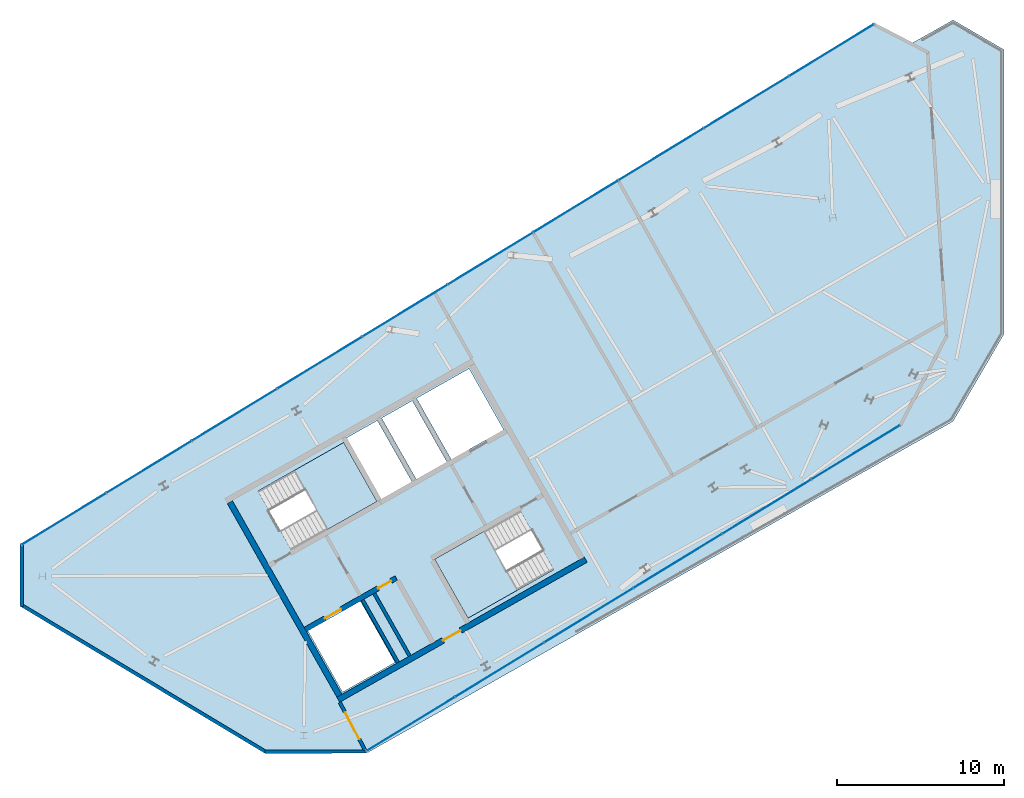
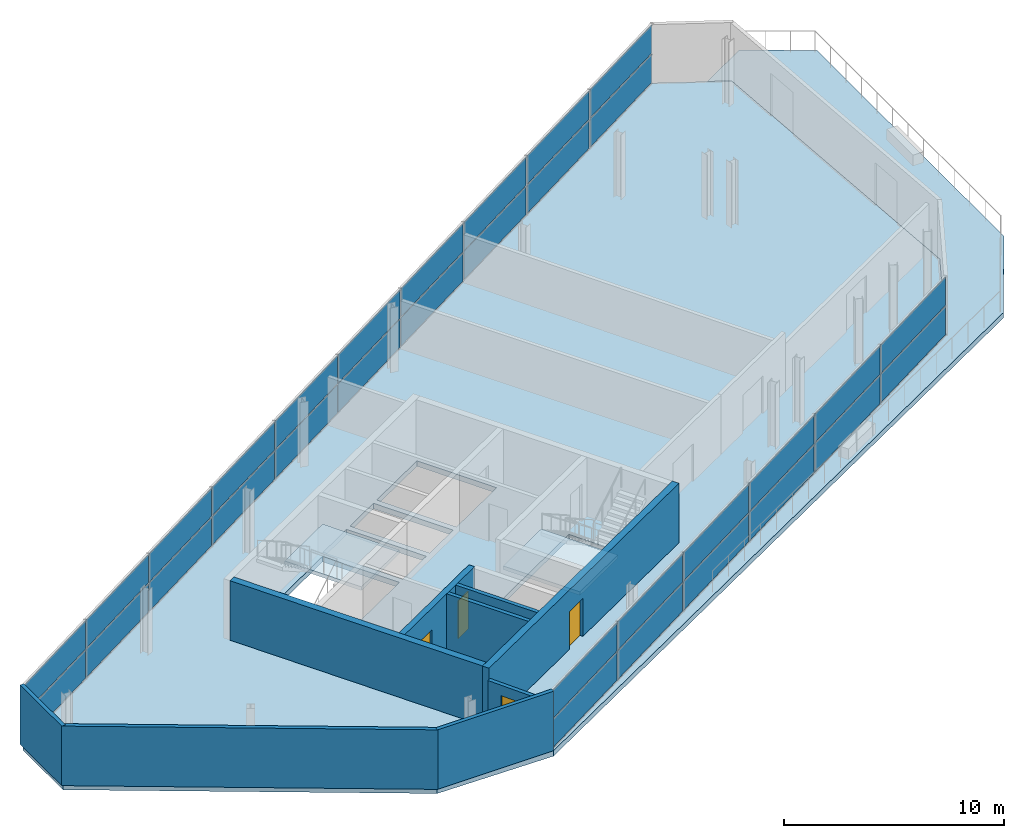
# One storey, part 7 of 10: 32 plates, 9 walls, 4 doors, 4 slabs, 4 openings, 4 elements without a shape of their own.
"""IFC4 building model written with IfcOpenShell, lengths in metres."""

from ifc_helpers import new_model, si_unit, direction, frame, frame_2d, origin, origin_2d, place, context, subcontext, project, spatial, polyline, rectangle, outline, extrude, material, layer, layer_set, type_object, element, fill, aggregate, save


model = new_model("IFC4")

# Units and contexts
model_context = context("Model", 3, precision=1e-05, world=origin(), true_north=direction((0.0, 1.0)))
body_context = subcontext(model_context, "Body", "Model", "MODEL_VIEW")
ifc_project = project(units=[si_unit("LENGTHUNIT", "METRE"), si_unit("AREAUNIT", "SQUARE_METRE"), si_unit("VOLUMEUNIT", "CUBIC_METRE"), si_unit("PLANEANGLEUNIT", "RADIAN"), si_unit("MASSUNIT", "GRAM", prefix="KILO")], contexts=[model_context])

# Site, building, storey
site_placement = place(None, origin())
site = spatial("IfcSite", under=ifc_project, at=site_placement, CompositionType="ELEMENT")
building_placement = place(site_placement, origin())
building = spatial("IfcBuilding", under=site, at=building_placement, Name="Binnacle Exchange Tower", CompositionType="ELEMENT")
storey_placement = place(building_placement, frame((0.0, 0.0, 346.89990234375)))
storey = spatial("IfcBuildingStorey", under=building, at=storey_placement, Name="L79", CompositionType="ELEMENT", Elevation=346.89990234375)

# Curtain wall, plates
ifc_material_1 = material(Name="Bronze anodised aluminium frame", Category="aluminium")
curtain_wall_type = type_object("IfcCurtainWallType", Name="External wall - curtain wall crown tiers", PredefinedType="NOTDEFINED", material=ifc_material_1)
curtain_wall_1_placement = place(storey_placement, origin())
curtain_wall_1 = element("IfcCurtainWall", 1, at=curtain_wall_1_placement, inside=storey, type_object=curtain_wall_type, Name="External wall curtain wall CW5-C103 L79", PredefinedType="NOTDEFINED")
ifc_material_2 = material(Name="Glass", Category="glass")
ifc_layer_1 = layer(ifc_material_2, 0.028076171875)
ifc_layer_set_1 = layer_set([ifc_layer_1], Name="CW5 GLASS PANEL 28")
plate_type = type_object("IfcPlateType", Name="CW5 GLASS PANEL 28", PredefinedType="CURTAIN_PANEL", material=ifc_layer_set_1)
plate_1_placement = place(storey_placement, frame((-10.31201171875, 68.471923828125, 0.05029296875), z_axis=(0.0, 0.0, 1.0), x_axis=(-0.853460873194, -0.521156922554, 0.0)))
plate_1 = element("IfcPlate", 2, at=plate_1_placement, type_object=plate_type, Name="CW5-C103 panel 1.1", PredefinedType="CURTAIN_PANEL", context=body_context, shape_type="SweptSolid", body=[
    extrude(rectangle(XDim=5.887451171875, YDim=0.028076171875, at=origin_2d()), origin(), (0.0, 0.0, 1.0), 1.574951171875),
])
plate_2_placement = place(storey_placement, frame((-10.31201171875, 68.471923828125, 1.67529296875), z_axis=(0.0, 0.0, 1.0), x_axis=(-0.853460873194, -0.521156922554, 0.0)))
plate_2 = element("IfcPlate", 3, at=plate_2_placement, type_object=plate_type, Name="CW5-C103 panel 1.2", PredefinedType="CURTAIN_PANEL", context=body_context, shape_type="SweptSolid", body=[
    extrude(rectangle(XDim=5.887451171875, YDim=0.028076171875, at=origin_2d()), origin(), (0.0, 0.0, 1.0), 1.574951171875),
])
plate_3_placement = place(storey_placement, frame((-15.40087890625, 65.36474609375, 0.05029296875), z_axis=(0.0, 0.0, 1.0), x_axis=(-0.853460873194, -0.521156922554, 0.0)))
plate_3 = element("IfcPlate", 4, at=plate_3_placement, type_object=plate_type, Name="CW5-C103 panel 2.1", PredefinedType="CURTAIN_PANEL", context=body_context, shape_type="SweptSolid", body=[
    extrude(rectangle(XDim=5.91748046875, YDim=0.028076171875, at=origin_2d()), origin(), (0.0, 0.0, 1.0), 1.574951171875),
])
plate_4_placement = place(storey_placement, frame((-15.40087890625, 65.36474609375, 1.67529296875), z_axis=(0.0, 0.0, 1.0), x_axis=(-0.853460873194, -0.521156922554, 0.0)))
plate_4 = element("IfcPlate", 5, at=plate_4_placement, type_object=plate_type, Name="CW5-C103 panel 2.2", PredefinedType="CURTAIN_PANEL", context=body_context, shape_type="SweptSolid", body=[
    extrude(rectangle(XDim=5.91748046875, YDim=0.028076171875, at=origin_2d()), origin(), (0.0, 0.0, 1.0), 1.574951171875),
])
plate_5_placement = place(storey_placement, frame((-20.50244140625, 62.24951171875, 0.05029296875), z_axis=(0.0, 0.0, 1.0), x_axis=(-0.853460873194, -0.521156922554, 0.0)))
plate_5 = element("IfcPlate", 6, at=plate_5_placement, type_object=plate_type, Name="CW5-C103 panel 3.1", PredefinedType="CURTAIN_PANEL", context=body_context, shape_type="SweptSolid", body=[
    extrude(rectangle(XDim=5.91748046875, YDim=0.028076171875, at=origin_2d()), origin(), (0.0, 0.0, 1.0), 1.574951171875),
])
plate_6_placement = place(storey_placement, frame((-20.50244140625, 62.24951171875, 1.67529296875), z_axis=(0.0, 0.0, 1.0), x_axis=(-0.853460873194, -0.521156922554, 0.0)))
plate_6 = element("IfcPlate", 7, at=plate_6_placement, type_object=plate_type, Name="CW5-C103 panel 3.2", PredefinedType="CURTAIN_PANEL", context=body_context, shape_type="SweptSolid", body=[
    extrude(rectangle(XDim=5.91748046875, YDim=0.028076171875, at=origin_2d()), origin(), (0.0, 0.0, 1.0), 1.574951171875),
])
plate_7_placement = place(storey_placement, frame((-25.60400390625, 59.13427734375, 0.05029296875), z_axis=(0.0, 0.0, 1.0), x_axis=(-0.853460873194, -0.521156922554, 0.0)))
plate_7 = element("IfcPlate", 8, at=plate_7_placement, type_object=plate_type, Name="CW5-C103 panel 4.1", PredefinedType="CURTAIN_PANEL", context=body_context, shape_type="SweptSolid", body=[
    extrude(rectangle(XDim=5.91748046875, YDim=0.028076171875, at=origin_2d()), origin(), (0.0, 0.0, 1.0), 1.574951171875),
])
plate_8_placement = place(storey_placement, frame((-25.60400390625, 59.13427734375, 1.67529296875), z_axis=(0.0, 0.0, 1.0), x_axis=(-0.853460873194, -0.521156922554, 0.0)))
plate_8 = element("IfcPlate", 9, at=plate_8_placement, type_object=plate_type, Name="CW5-C103 panel 4.2", PredefinedType="CURTAIN_PANEL", context=body_context, shape_type="SweptSolid", body=[
    extrude(rectangle(XDim=5.91748046875, YDim=0.028076171875, at=origin_2d()), origin(), (0.0, 0.0, 1.0), 1.574951171875),
])
plate_9_placement = place(storey_placement, frame((-30.70556640625, 56.01904296875, 0.05029296875), z_axis=(0.0, 0.0, 1.0), x_axis=(-0.853460873194, -0.521156922554, 0.0)))
plate_9 = element("IfcPlate", 10, at=plate_9_placement, type_object=plate_type, Name="CW5-C103 panel 5.1", PredefinedType="CURTAIN_PANEL", context=body_context, shape_type="SweptSolid", body=[
    extrude(rectangle(XDim=5.91748046875, YDim=0.028076171875, at=origin_2d()), origin(), (0.0, 0.0, 1.0), 1.574951171875),
])
plate_10_placement = place(storey_placement, frame((-30.70556640625, 56.01904296875, 1.67529296875), z_axis=(0.0, 0.0, 1.0), x_axis=(-0.853460873194, -0.521156922554, 0.0)))
plate_10 = element("IfcPlate", 11, at=plate_10_placement, type_object=plate_type, Name="CW5-C103 panel 5.2", PredefinedType="CURTAIN_PANEL", context=body_context, shape_type="SweptSolid", body=[
    extrude(rectangle(XDim=5.91748046875, YDim=0.028076171875, at=origin_2d()), origin(), (0.0, 0.0, 1.0), 1.574951171875),
])
plate_11_placement = place(storey_placement, frame((-35.80712890625, 52.90380859375, 0.05029296875), z_axis=(0.0, 0.0, 1.0), x_axis=(-0.853460873194, -0.521156922554, 0.0)))
plate_11 = element("IfcPlate", 12, at=plate_11_placement, type_object=plate_type, Name="CW5-C103 panel 6.1", PredefinedType="CURTAIN_PANEL", context=body_context, shape_type="SweptSolid", body=[
    extrude(rectangle(XDim=5.91748046875, YDim=0.028076171875, at=origin_2d()), origin(), (0.0, 0.0, 1.0), 1.574951171875),
])
plate_12_placement = place(storey_placement, frame((-35.80712890625, 52.90380859375, 1.67529296875), z_axis=(0.0, 0.0, 1.0), x_axis=(-0.853460873194, -0.521156922554, 0.0)))
plate_12 = element("IfcPlate", 13, at=plate_12_placement, type_object=plate_type, Name="CW5-C103 panel 6.2", PredefinedType="CURTAIN_PANEL", context=body_context, shape_type="SweptSolid", body=[
    extrude(rectangle(XDim=5.91748046875, YDim=0.028076171875, at=origin_2d()), origin(), (0.0, 0.0, 1.0), 1.574951171875),
])
plate_13_placement = place(storey_placement, frame((-40.90869140625, 49.78857421875, 0.05029296875), z_axis=(0.0, 0.0, 1.0), x_axis=(-0.853460873194, -0.521156922554, 0.0)))
plate_13 = element("IfcPlate", 14, at=plate_13_placement, type_object=plate_type, Name="CW5-C103 panel 7.1", PredefinedType="CURTAIN_PANEL", context=body_context, shape_type="SweptSolid", body=[
    extrude(rectangle(XDim=5.91748046875, YDim=0.028076171875, at=origin_2d()), origin(), (0.0, 0.0, 1.0), 1.574951171875),
])
plate_14_placement = place(storey_placement, frame((-40.90869140625, 49.78857421875, 1.67529296875), z_axis=(0.0, 0.0, 1.0), x_axis=(-0.853460873194, -0.521156922554, 0.0)))
plate_14 = element("IfcPlate", 15, at=plate_14_placement, type_object=plate_type, Name="CW5-C103 panel 7.2", PredefinedType="CURTAIN_PANEL", context=body_context, shape_type="SweptSolid", body=[
    extrude(rectangle(XDim=5.91748046875, YDim=0.028076171875, at=origin_2d()), origin(), (0.0, 0.0, 1.0), 1.574951171875),
])
plate_15_placement = place(storey_placement, frame((-46.01025390625, 46.67333984375, 0.05029296875), z_axis=(0.0, 0.0, 1.0), x_axis=(-0.853460873194, -0.521156922554, 0.0)))
plate_15 = element("IfcPlate", 16, at=plate_15_placement, type_object=plate_type, Name="CW5-C103 panel 8.1", PredefinedType="CURTAIN_PANEL", context=body_context, shape_type="SweptSolid", body=[
    extrude(rectangle(XDim=5.91748046875, YDim=0.028076171875, at=origin_2d()), origin(), (0.0, 0.0, 1.0), 1.574951171875),
])
plate_16_placement = place(storey_placement, frame((-46.01025390625, 46.67333984375, 1.67529296875), z_axis=(0.0, 0.0, 1.0), x_axis=(-0.853460873194, -0.521156922554, 0.0)))
plate_16 = element("IfcPlate", 17, at=plate_16_placement, type_object=plate_type, Name="CW5-C103 panel 8.2", PredefinedType="CURTAIN_PANEL", context=body_context, shape_type="SweptSolid", body=[
    extrude(rectangle(XDim=5.91748046875, YDim=0.028076171875, at=origin_2d()), origin(), (0.0, 0.0, 1.0), 1.574951171875),
])
plate_17_placement = place(storey_placement, frame((-51.11181640625, 43.55810546875, 0.05029296875), z_axis=(0.0, 0.0, 1.0), x_axis=(-0.853460873194, -0.521156922554, 0.0)))
plate_17 = element("IfcPlate", 18, at=plate_17_placement, type_object=plate_type, Name="CW5-C103 panel 9.1", PredefinedType="CURTAIN_PANEL", context=body_context, shape_type="SweptSolid", body=[
    extrude(rectangle(XDim=5.91748046875, YDim=0.028076171875, at=origin_2d()), origin(), (0.0, 0.0, 1.0), 1.574951171875),
])
plate_18_placement = place(storey_placement, frame((-51.11181640625, 43.55810546875, 1.67529296875), z_axis=(0.0, 0.0, 1.0), x_axis=(-0.853460873194, -0.521156922554, 0.0)))
plate_18 = element("IfcPlate", 19, at=plate_18_placement, type_object=plate_type, Name="CW5-C103 panel 9.2", PredefinedType="CURTAIN_PANEL", context=body_context, shape_type="SweptSolid", body=[
    extrude(rectangle(XDim=5.91748046875, YDim=0.028076171875, at=origin_2d()), origin(), (0.0, 0.0, 1.0), 1.574951171875),
])
plate_19_placement = place(storey_placement, frame((-56.20068359375, 40.45068359375, 0.05029296875), z_axis=(0.0, 0.0, 1.0), x_axis=(-0.853460873194, -0.521156922554, 0.0)))
plate_19 = element("IfcPlate", 20, at=plate_19_placement, type_object=plate_type, Name="CW5-C103 panel 10.1", PredefinedType="CURTAIN_PANEL", context=body_context, shape_type="SweptSolid", body=[
    extrude(rectangle(XDim=5.887451171875, YDim=0.028076171875, at=origin_2d()), origin(), (0.0, 0.0, 1.0), 1.574951171875),
])
plate_20_placement = place(storey_placement, frame((-56.20068359375, 40.45068359375, 1.67529296875), z_axis=(0.0, 0.0, 1.0), x_axis=(-0.853460873194, -0.521156922554, 0.0)))
plate_20 = element("IfcPlate", 21, at=plate_20_placement, type_object=plate_type, Name="CW5-C103 panel 10.2", PredefinedType="CURTAIN_PANEL", context=body_context, shape_type="SweptSolid", body=[
    extrude(rectangle(XDim=5.887451171875, YDim=0.028076171875, at=origin_2d()), origin(), (0.0, 0.0, 1.0), 1.574951171875),
])
aggregate(curtain_wall_1, [plate_1, plate_2, plate_3, plate_4, plate_5, plate_6, plate_7, plate_8, plate_9, plate_10, plate_11, plate_12, plate_13, plate_14, plate_15, plate_16, plate_17, plate_18, plate_19, plate_20])

curtain_wall_2_placement = place(storey_placement, origin())
curtain_wall_2 = element("IfcCurtainWall", 22, at=curtain_wall_2_placement, inside=storey, type_object=curtain_wall_type, Name="External wall curtain wall CW5-C107 L79", PredefinedType="NOTDEFINED")
plate_21_placement = place(storey_placement, frame((-35.47021484375, 28.1865234375, 0.05029296875), z_axis=(0.0, 0.0, 1.0), x_axis=(0.853460873194, 0.521156922554, 0.0)))
plate_21 = element("IfcPlate", 23, at=plate_21_placement, type_object=plate_type, Name="CW5-C107 panel 1.1", PredefinedType="CURTAIN_PANEL", context=body_context, shape_type="SweptSolid", body=[
    extrude(rectangle(XDim=6.149169921875, YDim=0.028076171875, at=origin_2d()), origin(), (0.0, 0.0, 1.0), 1.574951171875),
])
plate_22_placement = place(storey_placement, frame((-35.47021484375, 28.1865234375, 1.67529296875), z_axis=(0.0, 0.0, 1.0), x_axis=(0.853460873194, 0.521156922554, 0.0)))
plate_22 = element("IfcPlate", 24, at=plate_22_placement, type_object=plate_type, Name="CW5-C107 panel 1.2", PredefinedType="CURTAIN_PANEL", context=body_context, shape_type="SweptSolid", body=[
    extrude(rectangle(XDim=6.149169921875, YDim=0.028076171875, at=origin_2d()), origin(), (0.0, 0.0, 1.0), 1.574951171875),
])
plate_23_placement = place(storey_placement, frame((-30.158203125, 31.43017578125, 0.05029296875), z_axis=(0.0, 0.0, 1.0), x_axis=(0.853460873194, 0.521156922554, 0.0)))
plate_23 = element("IfcPlate", 25, at=plate_23_placement, type_object=plate_type, Name="CW5-C107 panel 2.1", PredefinedType="CURTAIN_PANEL", context=body_context, shape_type="SweptSolid", body=[
    extrude(rectangle(XDim=6.17919921875, YDim=0.028076171875, at=origin_2d()), origin(), (0.0, 0.0, 1.0), 1.574951171875),
])
plate_24_placement = place(storey_placement, frame((-30.158203125, 31.43017578125, 1.67529296875), z_axis=(0.0, 0.0, 1.0), x_axis=(0.853460873194, 0.521156922554, 0.0)))
plate_24 = element("IfcPlate", 26, at=plate_24_placement, type_object=plate_type, Name="CW5-C107 panel 2.2", PredefinedType="CURTAIN_PANEL", context=body_context, shape_type="SweptSolid", body=[
    extrude(rectangle(XDim=6.17919921875, YDim=0.028076171875, at=origin_2d()), origin(), (0.0, 0.0, 1.0), 1.574951171875),
])
plate_25_placement = place(storey_placement, frame((-24.833251953125, 34.681884765625, 0.05029296875), z_axis=(0.0, 0.0, 1.0), x_axis=(0.853460873194, 0.521156922554, 0.0)))
plate_25 = element("IfcPlate", 27, at=plate_25_placement, type_object=plate_type, Name="CW5-C107 panel 3.1", PredefinedType="CURTAIN_PANEL", context=body_context, shape_type="SweptSolid", body=[
    extrude(rectangle(XDim=6.17919921875, YDim=0.028076171875, at=origin_2d()), origin(), (0.0, 0.0, 1.0), 1.574951171875),
])
plate_26_placement = place(storey_placement, frame((-24.833251953125, 34.681884765625, 1.67529296875), z_axis=(0.0, 0.0, 1.0), x_axis=(0.853460873194, 0.521156922554, 0.0)))
plate_26 = element("IfcPlate", 28, at=plate_26_placement, type_object=plate_type, Name="CW5-C107 panel 3.2", PredefinedType="CURTAIN_PANEL", context=body_context, shape_type="SweptSolid", body=[
    extrude(rectangle(XDim=6.17919921875, YDim=0.028076171875, at=origin_2d()), origin(), (0.0, 0.0, 1.0), 1.574951171875),
])
plate_27_placement = place(storey_placement, frame((-19.50830078125, 37.933349609375, 0.05029296875), z_axis=(0.0, 0.0, 1.0), x_axis=(0.853460873194, 0.521156922554, 0.0)))
plate_27 = element("IfcPlate", 29, at=plate_27_placement, type_object=plate_type, Name="CW5-C107 panel 4.1", PredefinedType="CURTAIN_PANEL", context=body_context, shape_type="SweptSolid", body=[
    extrude(rectangle(XDim=6.17919921875, YDim=0.028076171875, at=origin_2d()), origin(), (0.0, 0.0, 1.0), 1.574951171875),
])
plate_28_placement = place(storey_placement, frame((-19.50830078125, 37.933349609375, 1.67529296875), z_axis=(0.0, 0.0, 1.0), x_axis=(0.853460873194, 0.521156922554, 0.0)))
plate_28 = element("IfcPlate", 30, at=plate_28_placement, type_object=plate_type, Name="CW5-C107 panel 4.2", PredefinedType="CURTAIN_PANEL", context=body_context, shape_type="SweptSolid", body=[
    extrude(rectangle(XDim=6.17919921875, YDim=0.028076171875, at=origin_2d()), origin(), (0.0, 0.0, 1.0), 1.574951171875),
])
plate_29_placement = place(storey_placement, frame((-14.183349609375, 41.18505859375, 0.05029296875), z_axis=(0.0, 0.0, 1.0), x_axis=(0.853460873194, 0.521156922554, 0.0)))
plate_29 = element("IfcPlate", 31, at=plate_29_placement, type_object=plate_type, Name="CW5-C107 panel 5.1", PredefinedType="CURTAIN_PANEL", context=body_context, shape_type="SweptSolid", body=[
    extrude(rectangle(XDim=6.17919921875, YDim=0.028076171875, at=origin_2d()), origin(), (0.0, 0.0, 1.0), 1.574951171875),
])
plate_30_placement = place(storey_placement, frame((-14.183349609375, 41.18505859375, 1.67529296875), z_axis=(0.0, 0.0, 1.0), x_axis=(0.853460873194, 0.521156922554, 0.0)))
plate_30 = element("IfcPlate", 32, at=plate_30_placement, type_object=plate_type, Name="CW5-C107 panel 5.2", PredefinedType="CURTAIN_PANEL", context=body_context, shape_type="SweptSolid", body=[
    extrude(rectangle(XDim=6.17919921875, YDim=0.028076171875, at=origin_2d()), origin(), (0.0, 0.0, 1.0), 1.574951171875),
])
plate_31_placement = place(storey_placement, frame((-8.871337890625, 44.4287109375, 0.05029296875), z_axis=(0.0, 0.0, 1.0), x_axis=(0.853460873194, 0.521156922554, 0.0)))
plate_31 = element("IfcPlate", 33, at=plate_31_placement, type_object=plate_type, Name="CW5-C107 panel 6.1", PredefinedType="CURTAIN_PANEL", context=body_context, shape_type="SweptSolid", body=[
    extrude(rectangle(XDim=6.149169921875, YDim=0.028076171875, at=origin_2d()), origin(), (0.0, 0.0, 1.0), 1.574951171875),
])
plate_32_placement = place(storey_placement, frame((-8.871337890625, 44.4287109375, 1.67529296875), z_axis=(0.0, 0.0, 1.0), x_axis=(0.853460873194, 0.521156922554, 0.0)))
plate_32 = element("IfcPlate", 34, at=plate_32_placement, type_object=plate_type, Name="CW5-C107 panel 6.2", PredefinedType="CURTAIN_PANEL", context=body_context, shape_type="SweptSolid", body=[
    extrude(rectangle(XDim=6.149169921875, YDim=0.028076171875, at=origin_2d()), origin(), (0.0, 0.0, 1.0), 1.574951171875),
])
aggregate(curtain_wall_2, [plate_21, plate_22, plate_23, plate_24, plate_25, plate_26, plate_27, plate_28, plate_29, plate_30, plate_31, plate_32])

# Slab
ifc_material_3 = material(Name="Concrete C35/45", Category="concrete")
ifc_layer_2 = layer(ifc_material_3, 0.300048828125)
ifc_layer_set_2 = layer_set([ifc_layer_2], Name="Floor slab 300 Concrete C35/45")
slab_type_1 = type_object("IfcSlabType", Name="Floor slab 300 Concrete C35/45", PredefinedType="FLOOR", material=ifc_layer_set_2)
slab_1_placement = place(storey_placement, frame((0.0, 0.0, -0.2998046875)))
element("IfcSlab", 35, at=slab_1_placement, inside=storey, type_object=slab_type_1, Name="S:SL:L79:01", PredefinedType="FLOOR", context=body_context, shape_type="SweptSolid", body=[
    extrude(outline(polyline([(-38.156982421875, 26.5458984375), (-44.14404296875, 26.5244140625), (-58.716064453125, 35.280029296875), (-58.72900390625, 38.90673828125), (-7.78369140625, 70.01611328125), (-4.563232421875, 68.347900390625), (-3.430908203125, 51.385498046875), (-6.184814453125, 46.0693359375), (-38.156982421875, 26.5458984375)]), holes=[polyline([(-41.61279296875, 33.756591796875), (-39.544677734375, 30.10107421875), (-36.411376953125, 31.873779296875), (-38.4794921875, 35.529296875), (-41.61279296875, 33.756591796875)]), polyline([(-32.04638671875, 34.515625), (-26.9287109375, 37.4111328125), (-28.923095703125, 40.93603515625), (-34.040771484375, 38.04052734375), (-32.04638671875, 34.515625)]), polyline([(-39.480712890625, 45.01611328125), (-44.598388671875, 42.12060546875), (-42.604248046875, 38.595703125), (-37.486572265625, 41.4912109375), (-39.480712890625, 45.01611328125)]), polyline([(-39.293701171875, 45.29443359375), (-37.225341796875, 41.638916015625), (-35.397705078125, 42.673095703125), (-37.4658203125, 46.32861328125), (-39.293701171875, 45.29443359375)]), polyline([(-35.376953125, 47.51025390625), (-37.20458984375, 46.476318359375), (-35.136474609375, 42.82080078125), (-33.308837890625, 43.854736328125), (-35.376953125, 47.51025390625)]), polyline([(-31.982666015625, 49.430908203125), (-35.115966796875, 47.657958984375), (-33.047607421875, 44.00244140625), (-29.914306640625, 45.775390625), (-31.982666015625, 49.430908203125)])]), origin(), (0.0, 0.0, 1.0), 0.2998046875),
])

# Stair, slab
stair_type = type_object("IfcStairType", Name="STAIR 20 RISERS 180", PredefinedType="HALF_TURN_STAIR", material=ifc_material_3)
stair_1_placement = place(storey_placement, origin())
stair_1 = element("IfcStair", 36, at=stair_1_placement, inside=storey, type_object=stair_type, Name="L79 Escape stair A1", PredefinedType="HALF_TURN_STAIR")
ifc_layer_3 = layer(ifc_material_3, 0.199951171875)
ifc_layer_set_3 = layer_set([ifc_layer_3], Name="STAIR LANDING 200")
slab_type_2 = type_object("IfcSlabType", Name="STAIR LANDING 200", PredefinedType="LANDING", material=ifc_layer_set_3)
slab_2_placement = place(storey_placement, frame((0.0, 0.0, 1.60009765625)))
slab_2 = element("IfcSlab", 37, at=slab_2_placement, type_object=slab_type_2, Name="STA1 landing 1", PredefinedType="LANDING", context=body_context, shape_type="SweptSolid", body=[
    extrude(outline(polyline([(-40.44580078125, 39.81689453125), (-37.486572265625, 41.4912109375), (-39.48095703125, 45.01611328125), (-42.43994140625, 43.341796875), (-40.44580078125, 39.81689453125)])), origin(), (0.0, 0.0, 1.0), 0.199951171875),
])
aggregate(stair_1, [slab_2])

stair_2_placement = place(storey_placement, origin())
stair_2 = element("IfcStair", 38, at=stair_2_placement, inside=storey, type_object=stair_type, Name="L79 Escape stair A2", PredefinedType="HALF_TURN_STAIR")
slab_3_placement = place(storey_placement, frame((0.0, 0.0, 1.60009765625)))
slab_3 = element("IfcSlab", 39, at=slab_3_placement, type_object=slab_type_2, Name="STA2 landing 1", PredefinedType="LANDING", context=body_context, shape_type="SweptSolid", body=[
    extrude(outline(polyline([(-31.08154296875, 39.71484375), (-34.040771484375, 38.04052734375), (-32.04638671875, 34.515625), (-29.087158203125, 36.18994140625), (-31.08154296875, 39.71484375)])), origin(), (0.0, 0.0, 1.0), 0.199951171875),
])
aggregate(stair_2, [slab_3])

# Slab
ifc_layer_4 = layer(ifc_material_3, 0.300048828125)
ifc_layer_set_4 = layer_set([ifc_layer_4], Name="Terrace slab 300 Concrete C35/45")
slab_type_3 = type_object("IfcSlabType", Name="Terrace slab 300 Concrete C35/45", PredefinedType="ROOF", material=ifc_layer_set_4)
slab_4_placement = place(storey_placement, frame((0.0, 0.0, -0.2998046875)))
element("IfcSlab", 40, at=slab_4_placement, inside=storey, type_object=slab_type_3, Name="TERRACE C1 slab", PredefinedType="ROOF", context=body_context, shape_type="SweptSolid", body=[
    extrude(outline(polyline([(-3.046142578125, 70.276611328125), (0.0, 68.5), (0.0, 51.5), (-3.046142578125, 46.276611328125), (-38.097900390625, 26.4453125), (-44.14404296875, 26.5244140625), (-38.156982421875, 26.5458984375), (-6.184814453125, 46.0693359375), (-3.430908203125, 51.385498046875), (-4.563232421875, 68.347900390625), (-5.55078125, 68.859375), (-3.046142578125, 70.276611328125)])), origin(), (0.0, 0.0, 1.0), 0.2998046875),
])

# Wall, openings, doors
ifc_material_4 = material(Name="Concrete C70/85", Category="concrete")
ifc_layer_5 = layer(ifc_material_4, 0.300048828125)
ifc_layer_set_5 = layer_set([ifc_layer_5], Name="Core wall - front 300")
wall_type_1 = type_object("IfcWallType", Name="Core wall - front 300", PredefinedType="SOLIDWALL", material=ifc_layer_set_5)
wall_1_placement = place(storey_placement, frame((-41.773681640625, 33.837890625, 0.0), z_axis=(0.0, 0.0, 1.0), x_axis=(0.870355415866, 0.492424055132, 0.0)))
wall_1 = element("IfcWall", 41, at=wall_1_placement, inside=storey, type_object=wall_type_1, Name="Core wall CRWA2", PredefinedType="SOLIDWALL", context=body_context, shape_type="SweptSolid", body=[
    extrude(rectangle(XDim=6.25, YDim=0.300048828125, at=frame_2d((3.125, 0.0))), origin(), (0.0, 0.0, 1.0), 3.300048828125),
])
opening_1_placement = place(wall_1_placement, frame((1.349853515625, 0.0, 0.0)))
opening_1 = element("IfcOpeningElement", 42, at=opening_1_placement, cuts=wall_1, Name="Opening LD12", PredefinedType="OPENING", context=body_context, shape_type="SweptSolid", body=[
    extrude(rectangle(XDim=1.10009765625, YDim=2.10009765625, at=frame_2d((0.550048828125, 1.050048828125))), frame((0.0, 0.159912109375, 0.0), z_axis=(0.0, -1.0, 0.0), x_axis=(1.0, 0.0, 0.0)), (0.0, 0.0, 1.0), 0.320068359375),
])
opening_2_placement = place(wall_1_placement, frame((5.0, 0.0, 0.0)))
opening_2 = element("IfcOpeningElement", 43, at=opening_2_placement, cuts=wall_1, Name="Opening DA14", PredefinedType="OPENING", context=body_context, shape_type="SweptSolid", body=[
    extrude(rectangle(XDim=0.89990234375, YDim=2.10009765625, at=frame_2d((0.449951171875, 1.050048828125))), frame((0.0, 0.159912109375, 0.0), z_axis=(0.0, -1.0, 0.0), x_axis=(1.0, 0.0, 0.0)), (0.0, 0.0, 1.0), 0.320068359375),
])
ifc_material_5 = material(Name="Steel door leaf", Category="steel")
door_type_1 = type_object("IfcDoorType", Name="Fire door - lift landing 1100", OperationType="NOTDEFINED", PredefinedType="DOOR", material=ifc_material_5)
door_1_placement = place(opening_1_placement, origin())
door_1 = element("IfcDoor", 44, at=door_1_placement, inside=storey, type_object=door_type_1, Name="Landing door LD12 L79", OperationType="DOUBLE_DOOR_SLIDING", OverallHeight=2.10009765625, OverallWidth=1.10009765625, PredefinedType="DOOR", context=body_context, shape_type="SweptSolid", body=[
    extrude(rectangle(XDim=1.10009765625, YDim=2.10009765625, at=frame_2d((0.550048828125, 1.050048828125))), frame((0.0, 0.02490234375, 0.0), z_axis=(0.0, -1.0, 0.0), x_axis=(1.0, 0.0, 0.0)), (0.0, 0.0, 1.0), 0.050048828125),
])
fill(opening_1, door_1)
door_type_2 = type_object("IfcDoorType", Name="Fire door 900", OperationType="NOTDEFINED", PredefinedType="DOOR", material=ifc_material_5)
door_2_placement = place(opening_2_placement, frame((0.89990234375, 0.0, 0.0), z_axis=(0.0, 0.0, 1.0), x_axis=(-1.0, 0.0, 0.0)))
door_2 = element("IfcDoor", 45, at=door_2_placement, inside=storey, type_object=door_type_2, Name="Core room door IT STORE", OperationType="SINGLE_SWING_LEFT", OverallHeight=2.10009765625, OverallWidth=0.89990234375, PredefinedType="DOOR", context=body_context, shape_type="SweptSolid", body=[
    extrude(rectangle(XDim=0.89990234375, YDim=2.10009765625, at=frame_2d((0.449951171875, 1.050048828125))), frame((0.0, 0.02490234375, 0.0), z_axis=(0.0, -1.0, 0.0), x_axis=(1.0, 0.0, 0.0)), (0.0, 0.0, 1.0), 0.050048828125),
])
fill(opening_2, door_2)

# Wall, opening, door
ifc_layer_6 = layer(ifc_material_4, 0.35009765625)
ifc_layer_set_6 = layer_set([ifc_layer_6], Name="Core wall - outer 350")
wall_type_2 = type_object("IfcWallType", Name="Core wall - outer 350", PredefinedType="SOLIDWALL", material=ifc_layer_set_6)
wall_2_placement = place(storey_placement, frame((-39.80078125, 29.64013671875, 0.0), z_axis=(0.0, 0.0, 1.0), x_axis=(0.870359753402, 0.492416388494, 0.0)))
wall_2 = element("IfcWall", 46, at=wall_2_placement, inside=storey, type_object=wall_type_2, Name="Core wall CRWA1", PredefinedType="SOLIDWALL", context=body_context, shape_type="SweptSolid", body=[
    extrude(rectangle(XDim=17.0, YDim=0.35009765625, at=frame_2d((8.5, 0.0))), origin(), (0.0, 0.0, 1.0), 3.300048828125),
])
opening_3_placement = place(wall_2_placement, frame((7.199951171875, 0.0, 0.0)))
opening_3 = element("IfcOpeningElement", 47, at=opening_3_placement, cuts=wall_2, Name="Opening DA7", PredefinedType="OPENING", context=body_context, shape_type="SweptSolid", body=[
    extrude(rectangle(XDim=1.199951171875, YDim=2.10009765625, at=frame_2d((0.60009765625, 1.050048828125))), frame((0.0, 0.18505859375, 0.0), z_axis=(0.0, -1.0, 0.0), x_axis=(1.0, 0.0, 0.0)), (0.0, 0.0, 1.0), 0.3701171875),
])
door_type_3 = type_object("IfcDoorType", Name="Fire door 1200", OperationType="NOTDEFINED", PredefinedType="DOOR", material=ifc_material_5)
door_3_placement = place(opening_3_placement, frame((1.199951171875, 0.0, 0.0), z_axis=(0.0, 0.0, 1.0), x_axis=(-1.0, 0.0, 0.0)))
door_3 = element("IfcDoor", 48, at=door_3_placement, inside=storey, type_object=door_type_3, Name="Lift lobby entrance door core A", OperationType="SINGLE_SWING_RIGHT", OverallHeight=2.10009765625, OverallWidth=1.199951171875, PredefinedType="DOOR", context=body_context, shape_type="SweptSolid", body=[
    extrude(rectangle(XDim=1.199951171875, YDim=2.10009765625, at=frame_2d((0.60009765625, 1.050048828125))), frame((0.0, 0.02490234375, 0.0), z_axis=(0.0, -1.0, 0.0), x_axis=(1.0, 0.0, 0.0)), (0.0, 0.0, 1.0), 0.050048828125),
])
fill(opening_3, door_3)

# Walls
wall_3_placement = place(storey_placement, frame((-46.283935546875, 41.454345703125, 0.0), z_axis=(0.0, 0.0, 1.0), x_axis=(0.492429810477, -0.870352159619, 0.0)))
element("IfcWall", 49, at=wall_3_placement, inside=storey, type_object=wall_type_2, Name="Core wall CRWA7", PredefinedType="SOLIDWALL", context=body_context, shape_type="SweptSolid", body=[
    extrude(rectangle(XDim=13.300048828125, YDim=0.35009765625, at=frame_2d((6.64990234375, 0.0))), origin(), (0.0, 0.0, 1.0), 3.300048828125),
])
ifc_material_6 = material(Name="Bronze aluminium louvre", Category="aluminium")
ifc_layer_7 = layer(ifc_material_6, 0.199951171875)
ifc_layer_set_7 = layer_set([ifc_layer_7], Name="External wall - crown louvre 200")
wall_type_3 = type_object("IfcWallType", Name="External wall - crown louvre 200", PredefinedType="STANDARD", material=ifc_layer_set_7)
wall_4_placement = place(storey_placement, frame((-58.7158203125, 35.223876953125, 0.0), z_axis=(0.0, 0.0, 1.0), x_axis=(-0.003563076631, 0.999993652222, 0.0)))
element("IfcWall", 50, at=wall_4_placement, inside=storey, type_object=wall_type_3, Name="External wall EW-C104 L79", PredefinedType="STANDARD", context=body_context, shape_type="SweptSolid", body=[
    extrude(rectangle(XDim=3.7685546875, YDim=0.199951171875, at=frame_2d((1.88427734375, 0.0))), origin(), (0.0, 0.0, 1.0), 3.300048828125),
])
wall_5_placement = place(storey_placement, frame((-44.1201171875, 26.510009765625, 0.0), z_axis=(0.0, 0.0, 1.0), x_axis=(-0.85716996621, 0.515033638734, 0.0)))
element("IfcWall", 51, at=wall_5_placement, inside=storey, type_object=wall_type_3, Name="External wall EW-C105 L79", PredefinedType="STANDARD", context=body_context, shape_type="SweptSolid", body=[
    extrude(rectangle(XDim=17.08447265625, YDim=0.199951171875, at=frame_2d((8.542236328125, 0.0))), origin(), (0.0, 0.0, 1.0), 3.300048828125),
])
wall_6_placement = place(storey_placement, frame((-38.080810546875, 26.546142578125, 0.0), z_axis=(0.0, 0.0, 1.0), x_axis=(-0.999993637837, -0.003567111574, 0.0)))
element("IfcWall", 52, at=wall_6_placement, inside=storey, type_object=wall_type_3, Name="External wall EW-C106 L79", PredefinedType="STANDARD", context=body_context, shape_type="SweptSolid", body=[
    extrude(rectangle(XDim=6.09130859375, YDim=0.199951171875, at=frame_2d((3.045654296875, 0.0))), origin(), (0.0, 0.0, 1.0), 3.300048828125),
])

# Wall, opening, door
ifc_material_7 = material(Name="Masonry block wall", Category="masonry")
ifc_layer_8 = layer(ifc_material_7, 0.199951171875)
ifc_layer_set_8 = layer_set([ifc_layer_8], Name="Fire wall - block 200")
wall_type_4 = type_object("IfcWallType", Name="Fire wall - block 200", PredefinedType="PARTITIONING", material=ifc_layer_set_8)
wall_7_placement = place(storey_placement, frame((-39.715087890625, 29.488037109375, 0.0), z_axis=(0.0, 0.0, 1.0), x_axis=(0.467963390189, -0.883747851733, 0.0)))
wall_7 = element("IfcWall", 53, at=wall_7_placement, inside=storey, type_object=wall_type_4, Name="Partition W01", PredefinedType="PARTITIONING", context=body_context, shape_type="SweptSolid", body=[
    extrude(rectangle(XDim=3.26123046875, YDim=0.199951171875, at=frame_2d((1.630615234375, 0.0))), origin(), (0.0, 0.0, 1.0), 2.68017578125),
])
opening_4_placement = place(wall_7_placement, frame((0.699951171875, 0.0, 0.0)))
opening_4 = element("IfcOpeningElement", 54, at=opening_4_placement, cuts=wall_7, Name="Opening DL79-04", PredefinedType="OPENING", context=body_context, shape_type="SweptSolid", body=[
    extrude(rectangle(XDim=1.800048828125, YDim=2.10009765625, at=frame_2d((0.89990234375, 1.050048828125))), frame((0.0, 0.10986328125, 0.0), z_axis=(0.0, -1.0, 0.0), x_axis=(1.0, 0.0, 0.0)), (0.0, 0.0, 1.0), 0.219970703125),
])
door_type_4 = type_object("IfcDoorType", Name="Fire door 1800", OperationType="NOTDEFINED", PredefinedType="DOOR", material=ifc_material_5)
door_4_placement = place(opening_4_placement, frame((1.800048828125, 0.0, 0.0), z_axis=(0.0, 0.0, 1.0), x_axis=(-1.0, 0.0, 0.0)))
door_4 = element("IfcDoor", 55, at=door_4_placement, inside=storey, type_object=door_type_4, Name="Door DL79-04", OperationType="DOUBLE_DOOR_SINGLE_SWING", OverallHeight=2.10009765625, OverallWidth=1.800048828125, PredefinedType="DOOR", context=body_context, shape_type="SweptSolid", body=[
    extrude(rectangle(XDim=1.800048828125, YDim=2.10009765625, at=frame_2d((0.89990234375, 1.050048828125))), frame((0.0, 0.02490234375, 0.0), z_axis=(0.0, -1.0, 0.0), x_axis=(1.0, 0.0, 0.0)), (0.0, 0.0, 1.0), 0.050048828125),
])
fill(opening_4, door_4)

# Walls
ifc_layer_9 = layer(ifc_material_7, 0.199951171875)
ifc_layer_set_9 = layer_set([ifc_layer_9], Name="Riser wall 200")
wall_type_5 = type_object("IfcWallType", Name="Riser wall 200", PredefinedType="SOLIDWALL", material=ifc_layer_set_9)
wall_8_placement = place(storey_placement, frame((-38.348876953125, 35.603271484375, 0.0), z_axis=(0.0, 0.0, 1.0), x_axis=(0.492410799949, -0.870362915164, 0.0)))
element("IfcWall", 56, at=wall_8_placement, inside=storey, type_object=wall_type_5, Name="Core wall CRWA8", PredefinedType="SOLIDWALL", context=body_context, shape_type="SweptSolid", body=[
    extrude(rectangle(XDim=4.300048828125, YDim=0.199951171875, at=frame_2d((2.14990234375, 0.0))), origin(), (0.0, 0.0, 1.0), 3.300048828125),
])
wall_9_placement = place(storey_placement, frame((-37.652587890625, 35.9970703125, 0.0), z_axis=(0.0, 0.0, 1.0), x_axis=(0.492435133428, -0.870349147967, 0.0)))
element("IfcWall", 57, at=wall_9_placement, inside=storey, type_object=wall_type_5, Name="Core wall CRWA11", PredefinedType="SOLIDWALL", context=body_context, shape_type="SweptSolid", body=[
    extrude(rectangle(XDim=4.2998046875, YDim=0.199951171875, at=frame_2d((2.14990234375, 0.0))), origin(), (0.0, 0.0, 1.0), 3.300048828125),
])

save(model, "model.ifc")
